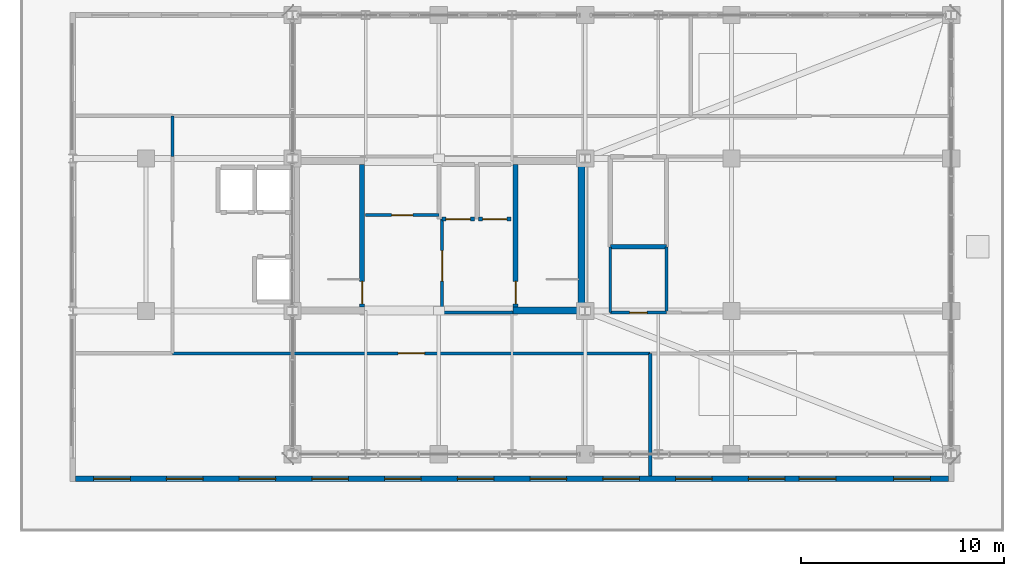
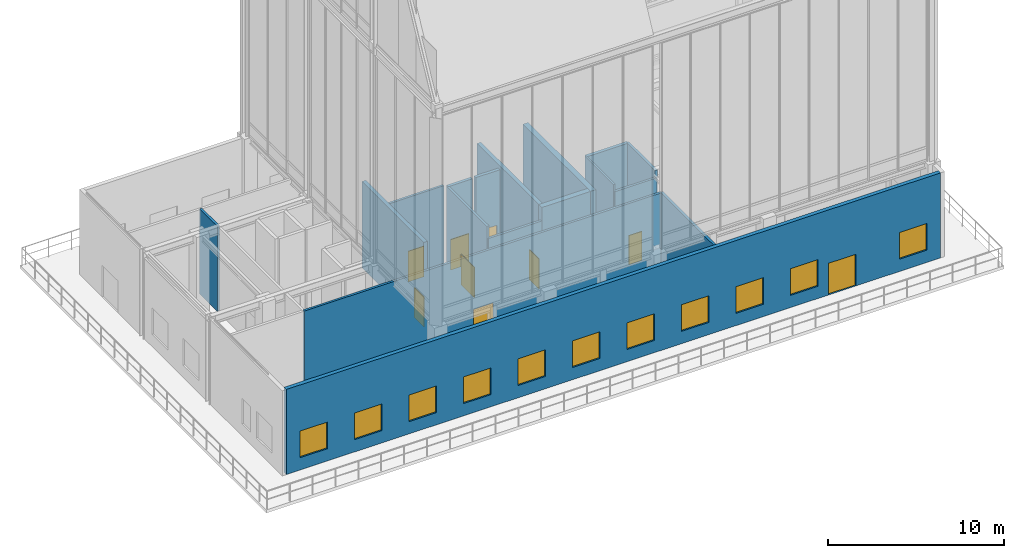
# One storey, part 46 of 49: 17 walls, 11 windows, 9 doors, 20 openings.
"""IFC4 building model written with IfcOpenShell, lengths in metres."""

from ifc_helpers import new_model, si_unit, direction, frame, frame_2d, origin, place, context, subcontext, project, spatial, rectangle, extrude, material, layer, layer_set, type_object, element, fill, save


model = new_model("IFC4")

# Units and contexts
model_context = context("Model", 3, precision=1e-05, world=origin(), true_north=direction((0.0, 1.0)))
body_context = subcontext(model_context, "Body", "Model", "MODEL_VIEW")
ifc_project = project(units=[si_unit("LENGTHUNIT", "METRE"), si_unit("AREAUNIT", "SQUARE_METRE"), si_unit("VOLUMEUNIT", "CUBIC_METRE"), si_unit("PLANEANGLEUNIT", "RADIAN"), si_unit("MASSUNIT", "GRAM", prefix="KILO")], contexts=[model_context])

# Site, building, storey
site_placement = place(None, origin())
site = spatial("IfcSite", under=ifc_project, at=site_placement, CompositionType="ELEMENT")
building_placement = place(site_placement, origin())
building = spatial("IfcBuilding", under=site, at=building_placement, Name="Kaliganga Portal Commons", CompositionType="ELEMENT")
storey_placement = place(building_placement, frame((0.0, 0.0, 298.0)))
storey = spatial("IfcBuildingStorey", under=building, at=storey_placement, Name="L77", CompositionType="ELEMENT", Elevation=298.0)

# Walls
ifc_material_1 = material(Name="Concrete C50/60", Category="concrete")
ifc_layer_1 = layer(ifc_material_1, 0.35009765625)
ifc_layer_set_1 = layer_set([ifc_layer_1], Name="Concrete C50/60")
wall_type_1 = type_object("IfcWallType", Name="WL-CORE-350", PredefinedType="SHEAR", material=ifc_layer_set_1)
wall_1_placement = place(storey_placement, frame((28.625, 28.5, 0.0), z_axis=(0.0, 0.0, 1.0), x_axis=(0.0, 1.0, 0.0)))
element("IfcWall", 1, at=wall_1_placement, inside=storey, type_object=wall_type_1, Name="Core A East Shear Wall L77", PredefinedType="SHEAR", context=body_context, shape_type="SweptSolid", body=[
    extrude(rectangle(XDim=7.699951171875, YDim=0.35009765625, at=frame_2d((3.85009765625, 0.0))), origin(), (0.0, 0.0, 1.0), 6.0),
])
wall_2_placement = place(storey_placement, frame((25.25, 28.675048828125, 0.0), z_axis=(0.0, 0.0, 1.0), x_axis=(1.0, 0.0, 0.0)))
element("IfcWall", 2, at=wall_2_placement, inside=storey, type_object=wall_type_1, Name="Core A S-East Shear Wall L77", PredefinedType="SHEAR", context=body_context, shape_type="SweptSolid", body=[
    extrude(rectangle(XDim=3.199951171875, YDim=0.35009765625, at=frame_2d((1.60009765625, 0.0))), origin(), (0.0, 0.0, 1.0), 6.0),
])

# Wall, openings, door, windows
ifc_material_2 = material(Name="Insulated Aluminium-Clad Spandrel Assembly", Category="aluminium")
ifc_layer_2 = layer(ifc_material_2, 0.260009765625)
ifc_layer_set_2 = layer_set([ifc_layer_2], Name="Insulated Aluminium-Clad Spandrel Assembly")
wall_type_2 = type_object("IfcWallType", Name="WL-EXT-SPAND-260", PredefinedType="STANDARD", material=ifc_layer_set_2)
wall_3_placement = place(storey_placement, frame((46.6650390625, 20.39990234375, 0.0), z_axis=(0.0, 0.0, 1.0), x_axis=(-1.0, 0.0, 0.0)))
wall_3 = element("IfcWall", 3, at=wall_3_placement, inside=storey, type_object=wall_type_2, Name="Exterior Envelope Wall L77 P1-E00-S1", PredefinedType="STANDARD", context=body_context, shape_type="SweptSolid", body=[
    extrude(rectangle(XDim=42.929931640625, YDim=0.260009765625, at=frame_2d((21.46484375, 0.0))), origin(), (0.0, 0.0, 1.0), 5.89990234375),
])
opening_1_placement = place(wall_3_placement, frame((5.5390625, 0.0, 0.0)))
opening_1 = element("IfcOpeningElement", 4, at=opening_1_placement, cuts=wall_3, Name="Opening TD-01", PredefinedType="OPENING", context=body_context, shape_type="SweptSolid", body=[
    extrude(rectangle(XDim=1.800048828125, YDim=2.199951171875, at=frame_2d((0.89990234375, 1.10009765625))), frame((0.0, 0.14013671875, 0.0), z_axis=(0.0, -1.0, 0.0), x_axis=(1.0, 0.0, 0.0)), (0.0, 0.0, 1.0), 0.280029296875),
])
opening_2_placement = place(wall_3_placement, frame((0.888916015625, 0.0, 0.85009765625)))
opening_2 = element("IfcOpeningElement", 5, at=opening_2_placement, cuts=wall_3, Name="Opening W-01", PredefinedType="OPENING", context=body_context, shape_type="SweptSolid", body=[
    extrude(rectangle(XDim=1.800048828125, YDim=1.85009765625, at=frame_2d((0.89990234375, 0.925048828125))), frame((0.0, 0.14013671875, 0.0), z_axis=(0.0, -1.0, 0.0), x_axis=(1.0, 0.0, 0.0)), (0.0, 0.0, 1.0), 0.280029296875),
])
opening_3_placement = place(wall_3_placement, frame((8.043701171875, 0.0, 0.85009765625)))
opening_3 = element("IfcOpeningElement", 6, at=opening_3_placement, cuts=wall_3, Name="Opening W-01", PredefinedType="OPENING", context=body_context, shape_type="SweptSolid", body=[
    extrude(rectangle(XDim=1.800048828125, YDim=1.85009765625, at=frame_2d((0.89990234375, 0.925048828125))), frame((0.0, 0.14013671875, 0.0), z_axis=(0.0, -1.0, 0.0), x_axis=(1.0, 0.0, 0.0)), (0.0, 0.0, 1.0), 0.280029296875),
])
opening_4_placement = place(wall_3_placement, frame((11.62109375, 0.0, 0.85009765625)))
opening_4 = element("IfcOpeningElement", 7, at=opening_4_placement, cuts=wall_3, Name="Opening W-01", PredefinedType="OPENING", context=body_context, shape_type="SweptSolid", body=[
    extrude(rectangle(XDim=1.800048828125, YDim=1.85009765625, at=frame_2d((0.89990234375, 0.925048828125))), frame((0.0, 0.14013671875, 0.0), z_axis=(0.0, -1.0, 0.0), x_axis=(1.0, 0.0, 0.0)), (0.0, 0.0, 1.0), 0.280029296875),
])
opening_5_placement = place(wall_3_placement, frame((15.19873046875, 0.0, 0.85009765625)))
opening_5 = element("IfcOpeningElement", 8, at=opening_5_placement, cuts=wall_3, Name="Opening W-01", PredefinedType="OPENING", context=body_context, shape_type="SweptSolid", body=[
    extrude(rectangle(XDim=1.800048828125, YDim=1.85009765625, at=frame_2d((0.89990234375, 0.925048828125))), frame((0.0, 0.14013671875, 0.0), z_axis=(0.0, -1.0, 0.0), x_axis=(1.0, 0.0, 0.0)), (0.0, 0.0, 1.0), 0.280029296875),
])
opening_6_placement = place(wall_3_placement, frame((18.7763671875, 0.0, 0.85009765625)))
opening_6 = element("IfcOpeningElement", 9, at=opening_6_placement, cuts=wall_3, Name="Opening W-01", PredefinedType="OPENING", context=body_context, shape_type="SweptSolid", body=[
    extrude(rectangle(XDim=1.800048828125, YDim=1.85009765625, at=frame_2d((0.89990234375, 0.925048828125))), frame((0.0, 0.14013671875, 0.0), z_axis=(0.0, -1.0, 0.0), x_axis=(1.0, 0.0, 0.0)), (0.0, 0.0, 1.0), 0.280029296875),
])
opening_7_placement = place(wall_3_placement, frame((22.353759765625, 0.0, 0.85009765625)))
opening_7 = element("IfcOpeningElement", 10, at=opening_7_placement, cuts=wall_3, Name="Opening W-01", PredefinedType="OPENING", context=body_context, shape_type="SweptSolid", body=[
    extrude(rectangle(XDim=1.800048828125, YDim=1.85009765625, at=frame_2d((0.89990234375, 0.925048828125))), frame((0.0, 0.14013671875, 0.0), z_axis=(0.0, -1.0, 0.0), x_axis=(1.0, 0.0, 0.0)), (0.0, 0.0, 1.0), 0.280029296875),
])
opening_8_placement = place(wall_3_placement, frame((25.931396484375, 0.0, 0.85009765625)))
opening_8 = element("IfcOpeningElement", 11, at=opening_8_placement, cuts=wall_3, Name="Opening W-01", PredefinedType="OPENING", context=body_context, shape_type="SweptSolid", body=[
    extrude(rectangle(XDim=1.800048828125, YDim=1.85009765625, at=frame_2d((0.89990234375, 0.925048828125))), frame((0.0, 0.14013671875, 0.0), z_axis=(0.0, -1.0, 0.0), x_axis=(1.0, 0.0, 0.0)), (0.0, 0.0, 1.0), 0.280029296875),
])
opening_9_placement = place(wall_3_placement, frame((29.5087890625, 0.0, 0.85009765625)))
opening_9 = element("IfcOpeningElement", 12, at=opening_9_placement, cuts=wall_3, Name="Opening W-01", PredefinedType="OPENING", context=body_context, shape_type="SweptSolid", body=[
    extrude(rectangle(XDim=1.800048828125, YDim=1.85009765625, at=frame_2d((0.89990234375, 0.925048828125))), frame((0.0, 0.14013671875, 0.0), z_axis=(0.0, -1.0, 0.0), x_axis=(1.0, 0.0, 0.0)), (0.0, 0.0, 1.0), 0.280029296875),
])
opening_10_placement = place(wall_3_placement, frame((33.086181640625, 0.0, 0.85009765625)))
opening_10 = element("IfcOpeningElement", 13, at=opening_10_placement, cuts=wall_3, Name="Opening W-01", PredefinedType="OPENING", context=body_context, shape_type="SweptSolid", body=[
    extrude(rectangle(XDim=1.800048828125, YDim=1.85009765625, at=frame_2d((0.89990234375, 0.925048828125))), frame((0.0, 0.14013671875, 0.0), z_axis=(0.0, -1.0, 0.0), x_axis=(1.0, 0.0, 0.0)), (0.0, 0.0, 1.0), 0.280029296875),
])
opening_11_placement = place(wall_3_placement, frame((36.663818359375, 0.0, 0.85009765625)))
opening_11 = element("IfcOpeningElement", 14, at=opening_11_placement, cuts=wall_3, Name="Opening W-01", PredefinedType="OPENING", context=body_context, shape_type="SweptSolid", body=[
    extrude(rectangle(XDim=1.800048828125, YDim=1.85009765625, at=frame_2d((0.89990234375, 0.925048828125))), frame((0.0, 0.14013671875, 0.0), z_axis=(0.0, -1.0, 0.0), x_axis=(1.0, 0.0, 0.0)), (0.0, 0.0, 1.0), 0.280029296875),
])
opening_12_placement = place(wall_3_placement, frame((40.2412109375, 0.0, 0.85009765625)))
opening_12 = element("IfcOpeningElement", 15, at=opening_12_placement, cuts=wall_3, Name="Opening W-01", PredefinedType="OPENING", context=body_context, shape_type="SweptSolid", body=[
    extrude(rectangle(XDim=1.800048828125, YDim=1.85009765625, at=frame_2d((0.89990234375, 0.925048828125))), frame((0.0, 0.14013671875, 0.0), z_axis=(0.0, -1.0, 0.0), x_axis=(1.0, 0.0, 0.0)), (0.0, 0.0, 1.0), 0.280029296875),
])
ifc_material_3 = material(Name="Anodized Aluminium and Laminated Safety Glass", Category="aluminium")
door_type_1 = type_object("IfcDoorType", Name="DR-TERR-1800", OperationType="DOUBLE_DOOR_SINGLE_SWING", PredefinedType="DOOR", material=ifc_material_3)
door_1_placement = place(opening_1_placement, origin())
door_1 = element("IfcDoor", 16, at=door_1_placement, inside=storey, type_object=door_type_1, Name="Lookout Deck Access Door OD-2", OperationType="DOUBLE_DOOR_SINGLE_SWING", OverallHeight=2.199951171875, OverallWidth=1.800048828125, PredefinedType="DOOR", context=body_context, shape_type="SweptSolid", body=[
    extrude(rectangle(XDim=1.800048828125, YDim=2.199951171875, at=frame_2d((0.89990234375, 1.10009765625))), frame((0.0, 0.02490234375, 0.0), z_axis=(0.0, -1.0, 0.0), x_axis=(1.0, 0.0, 0.0)), (0.0, 0.0, 1.0), 0.050048828125),
])
fill(opening_1, door_1)
ifc_material_4 = material(Name="Thermally Broken Aluminium and Low-E Double Glazing", Category="aluminium")
window_type = type_object("IfcWindowType", Name="WIN-STD-1800", PartitioningType="DOUBLE_PANEL_VERTICAL", PredefinedType="WINDOW", material=ifc_material_4)
window_1_placement = place(opening_2_placement, origin())
window_1 = element("IfcWindow", 17, at=window_1_placement, inside=storey, type_object=window_type, Name="Facade Window L77-P1E00S1-00", OverallHeight=1.85009765625, OverallWidth=1.800048828125, PartitioningType="SINGLE_PANEL", PredefinedType="WINDOW", context=body_context, shape_type="SweptSolid", body=[
    extrude(rectangle(XDim=1.800048828125, YDim=1.85009765625, at=frame_2d((0.89990234375, 0.925048828125))), frame((0.0, 0.030029296875, 0.0), z_axis=(0.0, -1.0, 0.0), x_axis=(1.0, 0.0, 0.0)), (0.0, 0.0, 1.0), 0.06005859375),
])
fill(opening_2, window_1)
window_2_placement = place(opening_3_placement, origin())
window_2 = element("IfcWindow", 18, at=window_2_placement, inside=storey, type_object=window_type, Name="Facade Window L77-P1E00S1-02", OverallHeight=1.85009765625, OverallWidth=1.800048828125, PartitioningType="SINGLE_PANEL", PredefinedType="WINDOW", context=body_context, shape_type="SweptSolid", body=[
    extrude(rectangle(XDim=1.800048828125, YDim=1.85009765625, at=frame_2d((0.89990234375, 0.925048828125))), frame((0.0, 0.030029296875, 0.0), z_axis=(0.0, -1.0, 0.0), x_axis=(1.0, 0.0, 0.0)), (0.0, 0.0, 1.0), 0.06005859375),
])
fill(opening_3, window_2)
window_3_placement = place(opening_4_placement, origin())
window_3 = element("IfcWindow", 19, at=window_3_placement, inside=storey, type_object=window_type, Name="Facade Window L77-P1E00S1-03", OverallHeight=1.85009765625, OverallWidth=1.800048828125, PartitioningType="SINGLE_PANEL", PredefinedType="WINDOW", context=body_context, shape_type="SweptSolid", body=[
    extrude(rectangle(XDim=1.800048828125, YDim=1.85009765625, at=frame_2d((0.89990234375, 0.925048828125))), frame((0.0, 0.030029296875, 0.0), z_axis=(0.0, -1.0, 0.0), x_axis=(1.0, 0.0, 0.0)), (0.0, 0.0, 1.0), 0.06005859375),
])
fill(opening_4, window_3)
window_4_placement = place(opening_5_placement, origin())
window_4 = element("IfcWindow", 20, at=window_4_placement, inside=storey, type_object=window_type, Name="Facade Window L77-P1E00S1-04", OverallHeight=1.85009765625, OverallWidth=1.800048828125, PartitioningType="SINGLE_PANEL", PredefinedType="WINDOW", context=body_context, shape_type="SweptSolid", body=[
    extrude(rectangle(XDim=1.800048828125, YDim=1.85009765625, at=frame_2d((0.89990234375, 0.925048828125))), frame((0.0, 0.030029296875, 0.0), z_axis=(0.0, -1.0, 0.0), x_axis=(1.0, 0.0, 0.0)), (0.0, 0.0, 1.0), 0.06005859375),
])
fill(opening_5, window_4)
window_5_placement = place(opening_6_placement, origin())
window_5 = element("IfcWindow", 21, at=window_5_placement, inside=storey, type_object=window_type, Name="Facade Window L77-P1E00S1-05", OverallHeight=1.85009765625, OverallWidth=1.800048828125, PartitioningType="SINGLE_PANEL", PredefinedType="WINDOW", context=body_context, shape_type="SweptSolid", body=[
    extrude(rectangle(XDim=1.800048828125, YDim=1.85009765625, at=frame_2d((0.89990234375, 0.925048828125))), frame((0.0, 0.030029296875, 0.0), z_axis=(0.0, -1.0, 0.0), x_axis=(1.0, 0.0, 0.0)), (0.0, 0.0, 1.0), 0.06005859375),
])
fill(opening_6, window_5)
window_6_placement = place(opening_7_placement, origin())
window_6 = element("IfcWindow", 22, at=window_6_placement, inside=storey, type_object=window_type, Name="Facade Window L77-P1E00S1-06", OverallHeight=1.85009765625, OverallWidth=1.800048828125, PartitioningType="SINGLE_PANEL", PredefinedType="WINDOW", context=body_context, shape_type="SweptSolid", body=[
    extrude(rectangle(XDim=1.800048828125, YDim=1.85009765625, at=frame_2d((0.89990234375, 0.925048828125))), frame((0.0, 0.030029296875, 0.0), z_axis=(0.0, -1.0, 0.0), x_axis=(1.0, 0.0, 0.0)), (0.0, 0.0, 1.0), 0.06005859375),
])
fill(opening_7, window_6)
window_7_placement = place(opening_8_placement, origin())
window_7 = element("IfcWindow", 23, at=window_7_placement, inside=storey, type_object=window_type, Name="Facade Window L77-P1E00S1-07", OverallHeight=1.85009765625, OverallWidth=1.800048828125, PartitioningType="SINGLE_PANEL", PredefinedType="WINDOW", context=body_context, shape_type="SweptSolid", body=[
    extrude(rectangle(XDim=1.800048828125, YDim=1.85009765625, at=frame_2d((0.89990234375, 0.925048828125))), frame((0.0, 0.030029296875, 0.0), z_axis=(0.0, -1.0, 0.0), x_axis=(1.0, 0.0, 0.0)), (0.0, 0.0, 1.0), 0.06005859375),
])
fill(opening_8, window_7)
window_8_placement = place(opening_9_placement, origin())
window_8 = element("IfcWindow", 24, at=window_8_placement, inside=storey, type_object=window_type, Name="Facade Window L77-P1E00S1-08", OverallHeight=1.85009765625, OverallWidth=1.800048828125, PartitioningType="SINGLE_PANEL", PredefinedType="WINDOW", context=body_context, shape_type="SweptSolid", body=[
    extrude(rectangle(XDim=1.800048828125, YDim=1.85009765625, at=frame_2d((0.89990234375, 0.925048828125))), frame((0.0, 0.030029296875, 0.0), z_axis=(0.0, -1.0, 0.0), x_axis=(1.0, 0.0, 0.0)), (0.0, 0.0, 1.0), 0.06005859375),
])
fill(opening_9, window_8)
window_9_placement = place(opening_10_placement, origin())
window_9 = element("IfcWindow", 25, at=window_9_placement, inside=storey, type_object=window_type, Name="Facade Window L77-P1E00S1-09", OverallHeight=1.85009765625, OverallWidth=1.800048828125, PartitioningType="SINGLE_PANEL", PredefinedType="WINDOW", context=body_context, shape_type="SweptSolid", body=[
    extrude(rectangle(XDim=1.800048828125, YDim=1.85009765625, at=frame_2d((0.89990234375, 0.925048828125))), frame((0.0, 0.030029296875, 0.0), z_axis=(0.0, -1.0, 0.0), x_axis=(1.0, 0.0, 0.0)), (0.0, 0.0, 1.0), 0.06005859375),
])
fill(opening_10, window_9)
window_10_placement = place(opening_11_placement, origin())
window_10 = element("IfcWindow", 26, at=window_10_placement, inside=storey, type_object=window_type, Name="Facade Window L77-P1E00S1-10", OverallHeight=1.85009765625, OverallWidth=1.800048828125, PartitioningType="SINGLE_PANEL", PredefinedType="WINDOW", context=body_context, shape_type="SweptSolid", body=[
    extrude(rectangle(XDim=1.800048828125, YDim=1.85009765625, at=frame_2d((0.89990234375, 0.925048828125))), frame((0.0, 0.030029296875, 0.0), z_axis=(0.0, -1.0, 0.0), x_axis=(1.0, 0.0, 0.0)), (0.0, 0.0, 1.0), 0.06005859375),
])
fill(opening_11, window_10)
window_11_placement = place(opening_12_placement, origin())
window_11 = element("IfcWindow", 27, at=window_11_placement, inside=storey, type_object=window_type, Name="Facade Window L77-P1E00S1-11", OverallHeight=1.85009765625, OverallWidth=1.800048828125, PartitioningType="SINGLE_PANEL", PredefinedType="WINDOW", context=body_context, shape_type="SweptSolid", body=[
    extrude(rectangle(XDim=1.800048828125, YDim=1.85009765625, at=frame_2d((0.89990234375, 0.925048828125))), frame((0.0, 0.030029296875, 0.0), z_axis=(0.0, -1.0, 0.0), x_axis=(1.0, 0.0, 0.0)), (0.0, 0.0, 1.0), 0.06005859375),
])
fill(opening_12, window_11)

# Wall, opening, door
ifc_material_5 = material(Name="Fire-Rated Gypsum Board on Steel Stud", Category="steel")
ifc_layer_3 = layer(ifc_material_5, 0.14990234375)
ifc_layer_set_3 = layer_set([ifc_layer_3], Name="Fire-Rated Gypsum Board on Steel Stud")
wall_type_3 = type_object("IfcWallType", Name="WL-PART-CORR-150", PredefinedType="PARTITIONING", material=ifc_layer_set_3)
wall_4_placement = place(storey_placement, frame((8.5, 26.56005859375, 0.0), z_axis=(0.0, 0.0, 1.0), x_axis=(1.0, 0.0, 0.0)))
wall_4 = element("IfcWall", 28, at=wall_4_placement, inside=storey, type_object=wall_type_3, Name="Interior Partition L77-002", PredefinedType="PARTITIONING", context=body_context, shape_type="SweptSolid", body=[
    extrude(rectangle(XDim=23.5, YDim=0.14990234375, at=frame_2d((11.75, 0.0))), origin(), (0.0, 0.0, 1.0), 5.89990234375),
])
opening_13_placement = place(wall_4_placement, frame((11.10009765625, 0.0, 0.0)))
opening_13 = element("IfcOpeningElement", 29, at=opening_13_placement, cuts=wall_4, Name="Opening RD-03", PredefinedType="OPENING", context=body_context, shape_type="SweptSolid", body=[
    extrude(rectangle(XDim=1.300048828125, YDim=2.1201171875, at=frame_2d((0.64990234375, 1.06005859375))), frame((0.0, 0.0849609375, 0.0), z_axis=(0.0, -1.0, 0.0), x_axis=(1.0, 0.0, 0.0)), (0.0, 0.0, 1.0), 0.169921875),
])
ifc_material_6 = material(Name="Glazed Timber Seminar Vision Door", Category="wood")
door_type_2 = type_object("IfcDoorType", Name="DR-STUDY-1300", OperationType="DOUBLE_DOOR_SINGLE_SWING", PredefinedType="DOOR", material=ifc_material_6)
door_2_placement = place(opening_13_placement, origin())
door_2 = element("IfcDoor", 30, at=door_2_placement, inside=storey, type_object=door_type_2, Name="Interior Door L77-OBS_S", OperationType="DOUBLE_DOOR_SINGLE_SWING", OverallHeight=2.1201171875, OverallWidth=1.300048828125, PredefinedType="DOOR", context=body_context, shape_type="SweptSolid", body=[
    extrude(rectangle(XDim=1.300048828125, YDim=2.1201171875, at=frame_2d((0.64990234375, 1.06005859375))), frame((0.0, 0.02490234375, 0.0), z_axis=(0.0, -1.0, 0.0), x_axis=(1.0, 0.0, 0.0)), (0.0, 0.0, 1.0), 0.050048828125),
])
fill(opening_13, door_2)

wall_5_placement = place(storey_placement, frame((18.0, 33.360107421875, 0.0), z_axis=(0.0, 0.0, 1.0), x_axis=(1.0, 0.0, 0.0)))
wall_5 = element("IfcWall", 31, at=wall_5_placement, inside=storey, type_object=wall_type_3, Name="Interior Partition L77-010", PredefinedType="PARTITIONING", context=body_context, shape_type="SweptSolid", body=[
    extrude(rectangle(XDim=3.60009765625, YDim=0.14990234375, at=frame_2d((1.800048828125, 0.0))), origin(), (0.0, 0.0, 1.0), 5.89990234375),
])
opening_14_placement = place(wall_5_placement, frame((1.27490234375, 0.0, 0.0)))
opening_14 = element("IfcOpeningElement", 32, at=opening_14_placement, cuts=wall_5, Name="Opening UD-02", PredefinedType="OPENING", context=body_context, shape_type="SweptSolid", body=[
    extrude(rectangle(XDim=1.050048828125, YDim=2.1201171875, at=frame_2d((0.52490234375, 1.06005859375))), frame((0.0, 0.0849609375, 0.0), z_axis=(0.0, -1.0, 0.0), x_axis=(1.0, 0.0, 0.0)), (0.0, 0.0, 1.0), 0.169921875),
])
ifc_material_7 = material(Name="Accessible Wide-Leaf Acoustic Fire Door", Category="wood")
door_type_3 = type_object("IfcDoorType", Name="DR-ACC-1050", OperationType="NOTDEFINED", PredefinedType="DOOR", material=ifc_material_7)
door_3_placement = place(opening_14_placement, origin())
door_3 = element("IfcDoor", 33, at=door_3_placement, inside=storey, type_object=door_type_3, Name="Interior Door L77-OBS_WC", OperationType="SINGLE_SWING_RIGHT", OverallHeight=2.1201171875, OverallWidth=1.050048828125, PredefinedType="DOOR", context=body_context, shape_type="SweptSolid", body=[
    extrude(rectangle(XDim=1.050048828125, YDim=2.1201171875, at=frame_2d((0.52490234375, 1.06005859375))), frame((0.0, 0.02490234375, 0.0), z_axis=(0.0, -1.0, 0.0), x_axis=(1.0, 0.0, 0.0)), (0.0, 0.0, 1.0), 0.050048828125),
])
fill(opening_14, door_3)

wall_6_placement = place(storey_placement, frame((30.0400390625, 28.56005859375, 0.0), z_axis=(0.0, 0.0, 1.0), x_axis=(1.0, 0.0, 0.0)))
wall_6 = element("IfcWall", 34, at=wall_6_placement, inside=storey, type_object=wall_type_3, Name="Interior Partition L77-012", PredefinedType="PARTITIONING", context=body_context, shape_type="SweptSolid", body=[
    extrude(rectangle(XDim=2.760009765625, YDim=0.14990234375, at=frame_2d((1.3798828125, 0.0))), origin(), (0.0, 0.0, 1.0), 5.429931640625),
])
opening_15_placement = place(wall_6_placement, frame((0.949951171875, 0.0, 0.0)))
opening_15 = element("IfcOpeningElement", 35, at=opening_15_placement, cuts=wall_6, Name="Opening WD-02", PredefinedType="OPENING", context=body_context, shape_type="SweptSolid", body=[
    extrude(rectangle(XDim=0.860107421875, YDim=2.02001953125, at=frame_2d((0.43017578125, 1.010009765625))), frame((0.0, 0.0849609375, 0.0), z_axis=(0.0, -1.0, 0.0), x_axis=(1.0, 0.0, 0.0)), (0.0, 0.0, 1.0), 0.169921875),
])
ifc_material_8 = material(Name="Fire-Rated Utility Closet Door", Category="wood")
door_type_4 = type_object("IfcDoorType", Name="DR-STORE-800", OperationType="NOTDEFINED", PredefinedType="DOOR", material=ifc_material_8)
door_4_placement = place(opening_15_placement, origin())
door_4 = element("IfcDoor", 36, at=door_4_placement, inside=storey, type_object=door_type_4, Name="Interior Door L77-OBS_COAT", OperationType="SINGLE_SWING_LEFT", OverallHeight=2.02001953125, OverallWidth=0.860107421875, PredefinedType="DOOR", context=body_context, shape_type="SweptSolid", body=[
    extrude(rectangle(XDim=0.860107421875, YDim=2.02001953125, at=frame_2d((0.43017578125, 1.010009765625))), frame((0.0, 0.02490234375, 0.0), z_axis=(0.0, -1.0, 0.0), x_axis=(1.0, 0.0, 0.0)), (0.0, 0.0, 1.0), 0.050048828125),
])
fill(opening_15, door_4)

# Wall
wall_7_placement = place(storey_placement, frame((8.5, 36.239990234375, 0.0), z_axis=(0.0, 0.0, 1.0), x_axis=(0.0, 1.0, 0.0)))
element("IfcWall", 37, at=wall_7_placement, inside=storey, type_object=wall_type_3, Name="Interior Partition L77-015", PredefinedType="PARTITIONING", context=body_context, shape_type="SweptSolid", body=[
    extrude(rectangle(XDim=2.0, YDim=0.14990234375, at=frame_2d((1.0, 0.0))), origin(), (0.0, 0.0, 1.0), 5.89990234375),
])

# Wall, opening, door
wall_8_placement = place(storey_placement, frame((21.760009765625, 28.56005859375, 0.0), z_axis=(0.0, 0.0, 1.0), x_axis=(0.0, 1.0, 0.0)))
wall_8 = element("IfcWall", 38, at=wall_8_placement, inside=storey, type_object=wall_type_3, Name="Interior Partition L77-020", PredefinedType="PARTITIONING", context=body_context, shape_type="SweptSolid", body=[
    extrude(rectangle(XDim=4.599853515625, YDim=0.14990234375, at=frame_2d((2.2998046875, 0.0))), origin(), (0.0, 0.0, 1.0), 5.89990234375),
])
opening_16_placement = place(wall_8_placement, frame((1.550048828125, 0.0, 0.0)))
opening_16 = element("IfcOpeningElement", 39, at=opening_16_placement, cuts=wall_8, Name="Opening FD-01", PredefinedType="OPENING", context=body_context, shape_type="SweptSolid", body=[
    extrude(rectangle(XDim=1.5, YDim=2.10009765625, at=frame_2d((0.75, 1.050048828125))), frame((0.0, 0.0849609375, 0.0), z_axis=(0.0, -1.0, 0.0), x_axis=(1.0, 0.0, 0.0)), (0.0, 0.0, 1.0), 0.169921875),
])
ifc_material_9 = material(Name="Fire-Rated Hardwood and Georgian-Wired Vision Panel", Category="wood")
door_type_5 = type_object("IfcDoorType", Name="DR-LOBBY-1500", OperationType="DOUBLE_DOOR_SINGLE_SWING", PredefinedType="DOOR", material=ifc_material_9)
door_5_placement = place(opening_16_placement, origin())
door_5 = element("IfcDoor", 40, at=door_5_placement, inside=storey, type_object=door_type_5, Name="Interior Door L77-FFLOB_A", OperationType="DOUBLE_DOOR_SINGLE_SWING", OverallHeight=2.10009765625, OverallWidth=1.5, PredefinedType="DOOR", context=body_context, shape_type="SweptSolid", body=[
    extrude(rectangle(XDim=1.5, YDim=2.10009765625, at=frame_2d((0.75, 1.050048828125))), frame((0.0, 0.02490234375, 0.0), z_axis=(0.0, -1.0, 0.0), x_axis=(1.0, 0.0, 0.0)), (0.0, 0.0, 1.0), 0.050048828125),
])
fill(opening_16, door_5)

# Walls
wall_9_placement = place(storey_placement, frame((21.760009765625, 28.56005859375, 0.0), z_axis=(0.0, 0.0, 1.0), x_axis=(1.0, 0.0, 0.0)))
element("IfcWall", 41, at=wall_9_placement, inside=storey, type_object=wall_type_3, Name="Interior Partition L77-023", PredefinedType="PARTITIONING", context=body_context, shape_type="SweptSolid", body=[
    extrude(rectangle(XDim=3.47998046875, YDim=0.14990234375, at=frame_2d((1.739990234375, 0.0))), origin(), (0.0, 0.0, 1.0), 5.080078125),
])
ifc_material_10 = material(Name="Lightweight blockwork masonry", Category="masonry")
ifc_layer_4 = layer(ifc_material_10, 0.215087890625)
ifc_layer_set_4 = layer_set([ifc_layer_4], Name="Lightweight blockwork masonry")
wall_type_4 = type_object("IfcWallType", Name="WL-PART-PLANT-215", PredefinedType="PARTITIONING", material=ifc_layer_set_4)
wall_10_placement = place(storey_placement, frame((30.0400390625, 31.800048828125, 0.0), z_axis=(0.0, 0.0, 1.0), x_axis=(1.0, 0.0, 0.0)))
element("IfcWall", 42, at=wall_10_placement, inside=storey, type_object=wall_type_4, Name="Interior Partition L77-026", PredefinedType="PARTITIONING", context=body_context, shape_type="SweptSolid", body=[
    extrude(rectangle(XDim=2.760009765625, YDim=0.215087890625, at=frame_2d((1.3798828125, 0.0))), origin(), (0.0, 0.0, 1.0), 5.89990234375),
])
ifc_material_11 = material(Name="Moisture-Resistant Gypsum Partition", Category="gypsum")
ifc_layer_5 = layer(ifc_material_11, 0.114990234375)
ifc_layer_set_5 = layer_set([ifc_layer_5], Name="Moisture-Resistant Gypsum Partition")
wall_type_5 = type_object("IfcWallType", Name="WL-PART-ROOM-115", PredefinedType="PARTITIONING", material=ifc_layer_set_5)
wall_11_placement = place(storey_placement, frame((30.0400390625, 28.56005859375, 0.0), z_axis=(0.0, 0.0, 1.0), x_axis=(0.0, 1.0, 0.0)))
element("IfcWall", 43, at=wall_11_placement, inside=storey, type_object=wall_type_5, Name="Interior Partition L77-024", PredefinedType="PARTITIONING", context=body_context, shape_type="SweptSolid", body=[
    extrude(rectangle(XDim=3.239990234375, YDim=0.114990234375, at=frame_2d((1.6201171875, 0.0))), origin(), (0.0, 0.0, 1.0), 5.89990234375),
])
ifc_material_12 = material(Name="Twin-Stud Acoustic Gypsum Partition", Category="gypsum")
ifc_layer_6 = layer(ifc_material_12, 0.1650390625)
ifc_layer_set_6 = layer_set([ifc_layer_6], Name="Twin-Stud Acoustic Gypsum Partition")
wall_type_6 = type_object("IfcWallType", Name="WL-PART-UNIT-165", PredefinedType="PARTITIONING", material=ifc_layer_set_6)
wall_12_placement = place(storey_placement, frame((32.0, 20.531982421875, 0.0), z_axis=(0.0, 0.0, 1.0), x_axis=(0.0, 1.0, 0.0)))
element("IfcWall", 44, at=wall_12_placement, inside=storey, type_object=wall_type_6, Name="Interior Partition L77-016", PredefinedType="PARTITIONING", context=body_context, shape_type="SweptSolid", body=[
    extrude(rectangle(XDim=6.028076171875, YDim=0.1650390625, at=frame_2d((3.01416015625, 0.0))), origin(), (0.0, 0.0, 1.0), 5.89990234375),
])
wall_13_placement = place(storey_placement, frame((32.800048828125, 28.56005859375, 0.0), z_axis=(0.0, 0.0, 1.0), x_axis=(0.0, 1.0, 0.0)))
element("IfcWall", 45, at=wall_13_placement, inside=storey, type_object=wall_type_6, Name="Interior Partition L77-025", PredefinedType="PARTITIONING", context=body_context, shape_type="SweptSolid", body=[
    extrude(rectangle(XDim=3.239990234375, YDim=0.1650390625, at=frame_2d((1.6201171875, 0.0))), origin(), (0.0, 0.0, 1.0), 5.89990234375),
])

# Wall, opening, door
ifc_material_13 = material(Name="Fire-Rated Shaftwall Masonry Assembly", Category="masonry")
ifc_layer_7 = layer(ifc_material_13, 0.199951171875)
ifc_layer_set_7 = layer_set([ifc_layer_7], Name="Fire-Rated Shaftwall Masonry Assembly")
wall_type_7 = type_object("IfcWallType", Name="WL-SHAFT-200", PredefinedType="PARTITIONING", material=ifc_layer_set_7)
wall_14_placement = place(storey_placement, frame((21.75, 33.159912109375, 0.0), z_axis=(0.0, 0.0, 1.0), x_axis=(1.0, 0.0, 0.0)))
wall_14 = element("IfcWall", 46, at=wall_14_placement, inside=storey, type_object=wall_type_7, Name="Lift FFL-1 Hoistway Shaft Wall L77-S", PredefinedType="PARTITIONING", context=body_context, shape_type="SweptSolid", body=[
    extrude(rectangle(XDim=1.60009765625, YDim=0.199951171875, at=frame_2d((0.800048828125, 0.0))), origin(), (0.0, 0.0, 1.0), 5.89990234375),
])
opening_17_placement = place(wall_14_placement, frame((0.199951171875, 0.0, 0.0)))
opening_17 = element("IfcOpeningElement", 47, at=opening_17_placement, cuts=wall_14, Name="Opening LD-02", PredefinedType="OPENING", context=body_context, shape_type="SweptSolid", body=[
    extrude(rectangle(XDim=1.199951171875, YDim=2.1201171875, at=frame_2d((0.60009765625, 1.06005859375))), frame((0.0, 0.10986328125, 0.0), z_axis=(0.0, -1.0, 0.0), x_axis=(1.0, 0.0, 0.0)), (0.0, 0.0, 1.0), 0.219970703125),
])
ifc_material_14 = material(Name="Brushed Stainless Steel 316 Stretcher Lift Landing Door", Category="steel")
door_type_6 = type_object("IfcDoorType", Name="DR-LIFT-1200", OperationType="SLIDING_TO_RIGHT", PredefinedType="DOOR", material=ifc_material_14)
door_6_placement = place(opening_17_placement, origin())
door_6 = element("IfcDoor", 48, at=door_6_placement, inside=storey, type_object=door_type_6, Name="Lift FFL-1 Sliding Landing Door L77", OperationType="SLIDING_TO_RIGHT", OverallHeight=2.1201171875, OverallWidth=1.199951171875, PredefinedType="DOOR", context=body_context, shape_type="SweptSolid", body=[
    extrude(rectangle(XDim=1.199951171875, YDim=2.1201171875, at=frame_2d((0.60009765625, 1.06005859375))), frame((0.0, 0.02490234375, 0.0), z_axis=(0.0, -1.0, 0.0), x_axis=(1.0, 0.0, 0.0)), (0.0, 0.0, 1.0), 0.050048828125),
])
fill(opening_17, door_6)

wall_15_placement = place(storey_placement, frame((23.550048828125, 33.159912109375, 0.0), z_axis=(0.0, 0.0, 1.0), x_axis=(1.0, 0.0, 0.0)))
wall_15 = element("IfcWall", 49, at=wall_15_placement, inside=storey, type_object=wall_type_7, Name="Lift FFL-2 Hoistway Shaft Wall L77-S", PredefinedType="PARTITIONING", context=body_context, shape_type="SweptSolid", body=[
    extrude(rectangle(XDim=1.599853515625, YDim=0.199951171875, at=frame_2d((0.7998046875, 0.0))), origin(), (0.0, 0.0, 1.0), 5.89990234375),
])
opening_18_placement = place(wall_15_placement, frame((0.199951171875, 0.0, 0.0)))
opening_18 = element("IfcOpeningElement", 50, at=opening_18_placement, cuts=wall_15, Name="Opening LD-02", PredefinedType="OPENING", context=body_context, shape_type="SweptSolid", body=[
    extrude(rectangle(XDim=1.199951171875, YDim=2.1201171875, at=frame_2d((0.60009765625, 1.06005859375))), frame((0.0, 0.10986328125, 0.0), z_axis=(0.0, -1.0, 0.0), x_axis=(1.0, 0.0, 0.0)), (0.0, 0.0, 1.0), 0.219970703125),
])
door_7_placement = place(opening_18_placement, origin())
door_7 = element("IfcDoor", 51, at=door_7_placement, inside=storey, type_object=door_type_6, Name="Lift FFL-2 Sliding Landing Door L77", OperationType="SLIDING_TO_RIGHT", OverallHeight=2.1201171875, OverallWidth=1.199951171875, PredefinedType="DOOR", context=body_context, shape_type="SweptSolid", body=[
    extrude(rectangle(XDim=1.199951171875, YDim=2.1201171875, at=frame_2d((0.60009765625, 1.06005859375))), frame((0.0, 0.02490234375, 0.0), z_axis=(0.0, -1.0, 0.0), x_axis=(1.0, 0.0, 0.0)), (0.0, 0.0, 1.0), 0.050048828125),
])
fill(opening_18, door_7)

ifc_layer_8 = layer(ifc_material_1, 0.25)
ifc_layer_set_8 = layer_set([ifc_layer_8], Name="Concrete C50/60")
wall_type_8 = type_object("IfcWallType", Name="WL-STAIR-250", PredefinedType="SHEAR", material=ifc_layer_set_8)
wall_16_placement = place(storey_placement, frame((17.824951171875, 28.85009765625, 0.0), z_axis=(0.0, 0.0, 1.0), x_axis=(0.0, 1.0, 0.0)))
wall_16 = element("IfcWall", 52, at=wall_16_placement, inside=storey, type_object=wall_type_8, Name="Stair A1 Enclosure Shear Wall L77", PredefinedType="SHEAR", context=body_context, shape_type="SweptSolid", body=[
    extrude(rectangle(XDim=7.0, YDim=0.25, at=frame_2d((3.5, 0.0))), origin(), (0.0, 0.0, 1.0), 6.0),
])
opening_19_placement = place(wall_16_placement, frame((0.14990234375, 0.0, 0.0)))
opening_19 = element("IfcOpeningElement", 53, at=opening_19_placement, cuts=wall_16, Name="Opening SD-01", PredefinedType="OPENING", context=body_context, shape_type="SweptSolid", body=[
    extrude(rectangle(XDim=1.10009765625, YDim=2.080078125, at=frame_2d((0.550048828125, 1.0400390625))), frame((0.0, 0.135009765625, 0.0), z_axis=(0.0, -1.0, 0.0), x_axis=(1.0, 0.0, 0.0)), (0.0, 0.0, 1.0), 0.27001953125),
])
ifc_material_15 = material(Name="Galvanized Steel Fire Door Leaf and Frame", Category="steel")
door_type_7 = type_object("IfcDoorType", Name="DR-STAIR-1100", OperationType="NOTDEFINED", PredefinedType="DOOR", material=ifc_material_15)
door_8_placement = place(opening_19_placement, origin())
door_8 = element("IfcDoor", 54, at=door_8_placement, inside=storey, type_object=door_type_7, Name="Protected Stair ST-A1 Fire Door L77", OperationType="SINGLE_SWING_LEFT", OverallHeight=2.080078125, OverallWidth=1.10009765625, PredefinedType="DOOR", context=body_context, shape_type="SweptSolid", body=[
    extrude(rectangle(XDim=1.10009765625, YDim=2.080078125, at=frame_2d((0.550048828125, 1.0400390625))), frame((0.0, 0.02490234375, 0.0), z_axis=(0.0, -1.0, 0.0), x_axis=(1.0, 0.0, 0.0)), (0.0, 0.0, 1.0), 0.050048828125),
])
fill(opening_19, door_8)

wall_17_placement = place(storey_placement, frame((25.375, 28.85009765625, 0.0), z_axis=(0.0, 0.0, 1.0), x_axis=(0.0, 1.0, 0.0)))
wall_17 = element("IfcWall", 55, at=wall_17_placement, inside=storey, type_object=wall_type_8, Name="Stair A2 Enclosure Shear Wall L77", PredefinedType="SHEAR", context=body_context, shape_type="SweptSolid", body=[
    extrude(rectangle(XDim=7.0, YDim=0.25, at=frame_2d((3.5, 0.0))), origin(), (0.0, 0.0, 1.0), 6.0),
])
opening_20_placement = place(wall_17_placement, frame((0.14990234375, 0.0, 0.0)))
opening_20 = element("IfcOpeningElement", 56, at=opening_20_placement, cuts=wall_17, Name="Opening SD-01", PredefinedType="OPENING", context=body_context, shape_type="SweptSolid", body=[
    extrude(rectangle(XDim=1.10009765625, YDim=2.080078125, at=frame_2d((0.550048828125, 1.0400390625))), frame((0.0, 0.135009765625, 0.0), z_axis=(0.0, -1.0, 0.0), x_axis=(1.0, 0.0, 0.0)), (0.0, 0.0, 1.0), 0.27001953125),
])
door_9_placement = place(opening_20_placement, origin())
door_9 = element("IfcDoor", 57, at=door_9_placement, inside=storey, type_object=door_type_7, Name="Protected Stair ST-A2 Fire Door L77", OperationType="SINGLE_SWING_RIGHT", OverallHeight=2.080078125, OverallWidth=1.10009765625, PredefinedType="DOOR", context=body_context, shape_type="SweptSolid", body=[
    extrude(rectangle(XDim=1.10009765625, YDim=2.080078125, at=frame_2d((0.550048828125, 1.0400390625))), frame((0.0, 0.02490234375, 0.0), z_axis=(0.0, -1.0, 0.0), x_axis=(1.0, 0.0, 0.0)), (0.0, 0.0, 1.0), 0.050048828125),
])
fill(opening_20, door_9)

save(model, "model.ifc")
